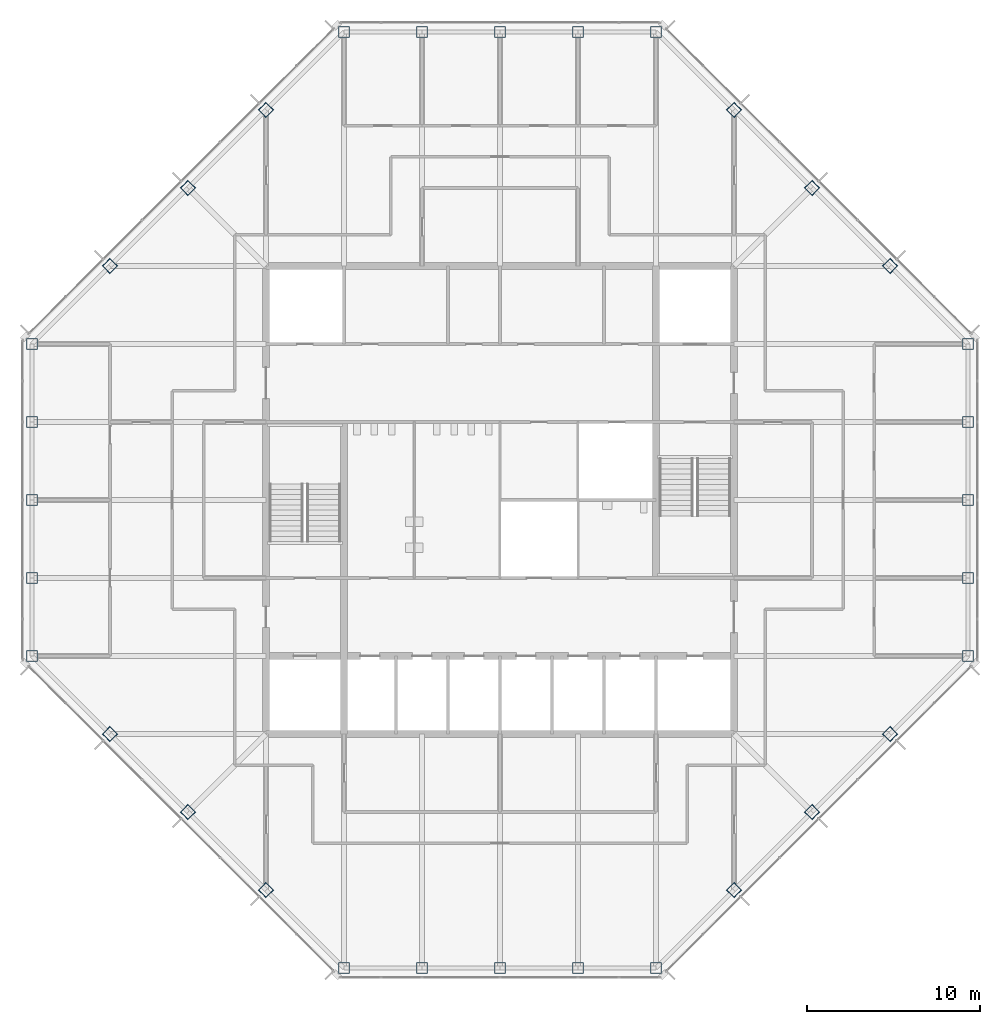
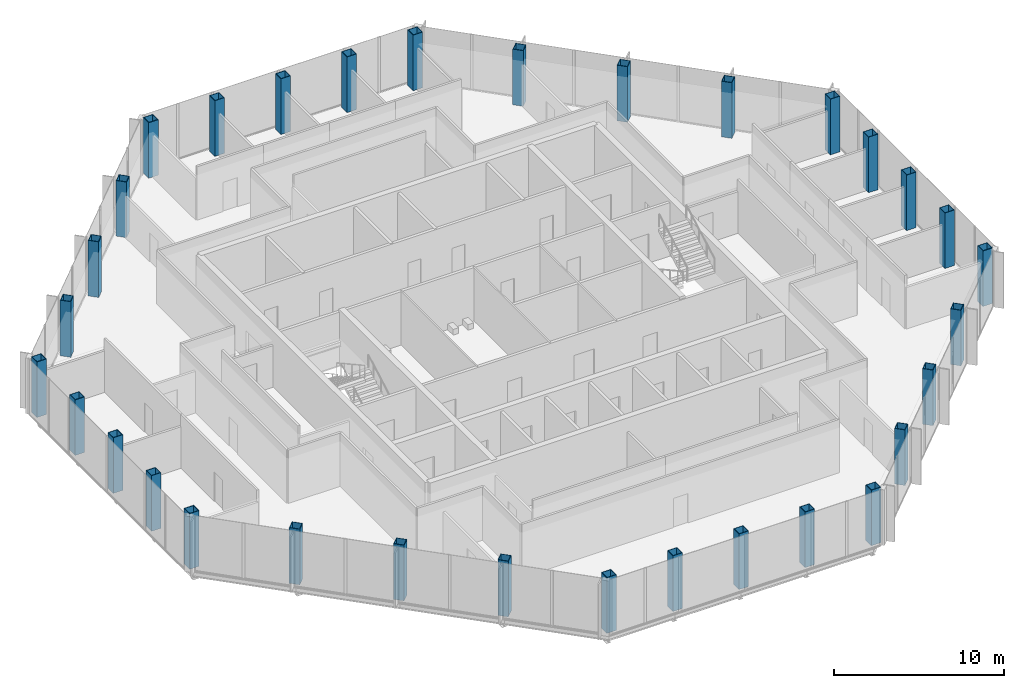
# One storey, part 1 of 14: 32 columns.
"""IFC4 building model written with IfcOpenShell, lengths in metres."""

from ifc_helpers import new_model, si_unit, direction, frame, origin, origin_2d, place, context, subcontext, project, spatial, hollow_rectangle, extrude, material, material_profile, profile_set, type_object, element, save


model = new_model("IFC4")

# Units and contexts
model_context = context("Model", 3, precision=1e-05, world=origin(), true_north=direction((0.0, 1.0)))
body_context = subcontext(model_context, "Body", "Model", "MODEL_VIEW")
ifc_project = project(units=[si_unit("LENGTHUNIT", "METRE"), si_unit("AREAUNIT", "SQUARE_METRE"), si_unit("VOLUMEUNIT", "CUBIC_METRE"), si_unit("PLANEANGLEUNIT", "RADIAN"), si_unit("MASSUNIT", "GRAM", prefix="KILO")], contexts=[model_context])

# Site, building, storey
site_placement = place(None, origin())
site = spatial("IfcSite", under=ifc_project, at=site_placement, CompositionType="ELEMENT")
building_placement = place(site_placement, origin())
building = spatial("IfcBuilding", under=site, at=building_placement, Name="Corais Broadcast Tower", CompositionType="ELEMENT")
storey_placement = place(building_placement, frame((0.0, 0.0, 214.60009765625)))
storey = spatial("IfcBuildingStorey", under=building, at=storey_placement, Name="L49", CompositionType="ELEMENT", Elevation=214.60009765625)

# Columns
ifc_material = material(Name="Steel ASTM A572 Grade 50", Category="steel")
ifc_material_profile = material_profile(ifc_material, hollow_rectangle(XDim=0.64990234375, YDim=0.64990234375, WallThickness=0.031982421875, at=origin_2d()), Name="BOX 650x650x32")
ifc_profile_set = profile_set([ifc_material_profile], Name="Steel ASTM A572 Grade 50")
column_type = type_object("IfcColumnType", Name="Column BOX 650x650x32", PredefinedType="COLUMN", material=ifc_profile_set)
for number, where, z_axis, x_axis, name in (
    (1, (18.0, 0.0, 0.0), (0.0, 0.0, 1.0), (1.0, 0.0, 0.0), "C6 A/7"),
    (2, (22.5, 0.0, 0.0), (0.0, 0.0, 1.0), (1.0, 0.0, 0.0), "C6 A/8"),
    (3, (27.0, 0.0, 0.0), (0.0, 0.0, 1.0), (1.0, 0.0, 0.0), "C6 A/9"),
    (4, (31.5, 0.0, 0.0), (0.0, 0.0, 1.0), (1.0, 0.0, 0.0), "C6 A/10"),
    (5, (36.0, 0.0, 0.0), (0.0, 0.0, 1.0), (1.0, 0.0, 0.0), "C6 A/11"),
    (6, (54.0, 18.0, 0.0), (0.0, 0.0, 1.0), (1.0, 0.0, 0.0), "C6 E/15"),
    (7, (54.0, 22.5, 0.0), (0.0, 0.0, 1.0), (1.0, 0.0, 0.0), "C6 F/15"),
    (8, (54.0, 27.0, 0.0), (0.0, 0.0, 1.0), (1.0, 0.0, 0.0), "C6 G/15"),
    (9, (54.0, 31.5, 0.0), (0.0, 0.0, 1.0), (1.0, 0.0, 0.0), "C6 H/15"),
    (10, (54.0, 36.0, 0.0), (0.0, 0.0, 1.0), (1.0, 0.0, 0.0), "C6 J/15"),
    (11, (36.0, 54.0, 0.0), (0.0, 0.0, 1.0), (1.0, 0.0, 0.0), "C6 N/11"),
    (12, (31.5, 54.0, 0.0), (0.0, 0.0, 1.0), (1.0, 0.0, 0.0), "C6 N/10"),
    (13, (27.0, 54.0, 0.0), (0.0, 0.0, 1.0), (1.0, 0.0, 0.0), "C6 N/9"),
    (14, (22.5, 54.0, 0.0), (0.0, 0.0, 1.0), (1.0, 0.0, 0.0), "C6 N/8"),
    (15, (18.0, 54.0, 0.0), (0.0, 0.0, 1.0), (1.0, 0.0, 0.0), "C6 N/7"),
    (16, (0.0, 36.0, 0.0), (0.0, 0.0, 1.0), (1.0, 0.0, 0.0), "C6 J/3"),
    (17, (0.0, 31.5, 0.0), (0.0, 0.0, 1.0), (1.0, 0.0, 0.0), "C6 H/3"),
    (18, (0.0, 27.0, 0.0), (0.0, 0.0, 1.0), (1.0, 0.0, 0.0), "C6 G/3"),
    (19, (0.0, 22.5, 0.0), (0.0, 0.0, 1.0), (1.0, 0.0, 0.0), "C6 F/3"),
    (20, (0.0, 18.0, 0.0), (0.0, 0.0, 1.0), (1.0, 0.0, 0.0), "C6 E/3"),
    (21, (13.5, 4.5, 0.0), (0.0, 0.0, 1.0), (0.707106781187, 0.707106781187, 0.0), "C6 B/6"),
    (22, (9.0, 9.0, 0.0), (0.0, 0.0, 1.0), (0.707106781187, 0.707106781187, 0.0), "C6 C/5"),
    (23, (4.5, 13.5, 0.0), (0.0, 0.0, 1.0), (0.707106781187, 0.707106781187, 0.0), "C6 D/4"),
    (24, (40.5, 4.5, 0.0), (0.0, 0.0, 1.0), (0.707106781187, 0.707106781187, 0.0), "C6 B/12"),
    (25, (45.0, 9.0, 0.0), (0.0, 0.0, 1.0), (0.707106781187, 0.707106781187, 0.0), "C6 C/13"),
    (26, (49.5, 13.5, 0.0), (0.0, 0.0, 1.0), (0.707106781187, 0.707106781187, 0.0), "C6 D/14"),
    (27, (49.5, 40.5, 0.0), (0.0, 0.0, 1.0), (0.707106781187, 0.707106781187, 0.0), "C6 K/14"),
    (28, (45.0, 45.0, 0.0), (0.0, 0.0, 1.0), (0.707106781187, 0.707106781187, 0.0), "C6 L/13"),
    (29, (40.5, 49.5, 0.0), (0.0, 0.0, 1.0), (0.707106781187, 0.707106781187, 0.0), "C6 M/12"),
    (30, (4.5, 40.5, 0.0), (0.0, 0.0, 1.0), (0.707106781187, 0.707106781187, 0.0), "C6 K/4"),
    (31, (9.0, 45.0, 0.0), (0.0, 0.0, 1.0), (0.707106781187, 0.707106781187, 0.0), "C6 L/5"),
    (32, (13.5, 49.5, 0.0), (0.0, 0.0, 1.0), (0.707106781187, 0.707106781187, 0.0), "C6 M/6"),
):
    element("IfcColumn", number, at=place(storey_placement, frame(where, z_axis=z_axis, x_axis=x_axis)), inside=storey, type_object=column_type, Name=name, PredefinedType="COLUMN", context=body_context, shape_type="SweptSolid", body=[
        extrude(hollow_rectangle(XDim=0.64990234375, YDim=0.64990234375, WallThickness=0.031982421875, at=origin_2d()), origin(), (0.0, 0.0, 1.0), 4.0),
    ])

save(model, "model.ifc")
